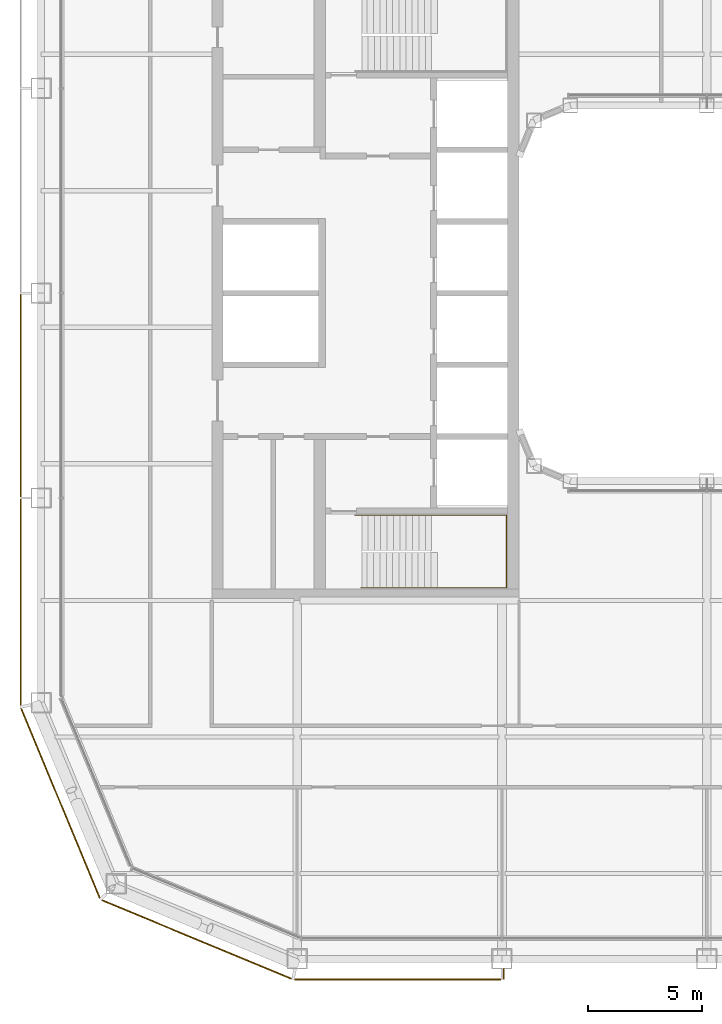
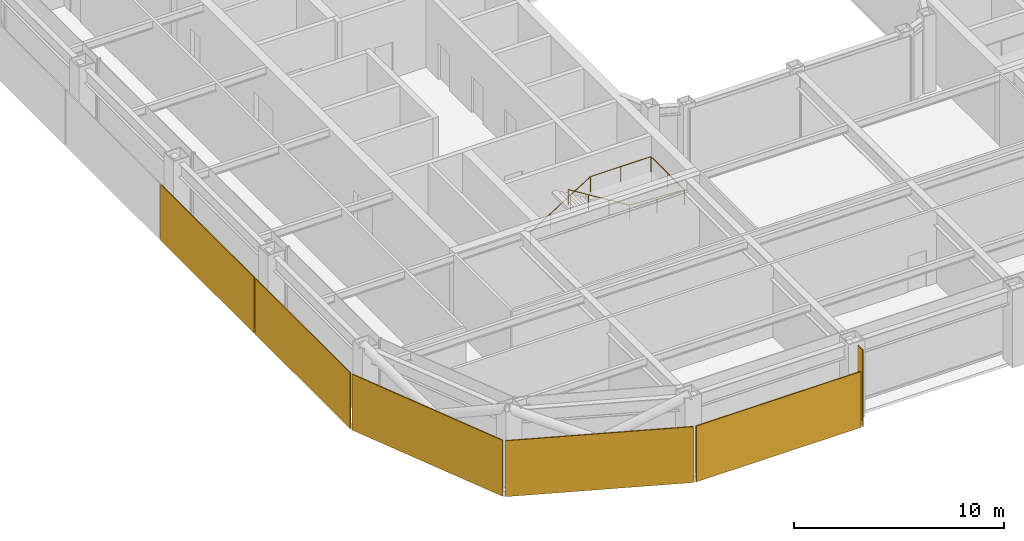
# One storey, part 17 of 21: 6 coverings, 1 railing.
"""IFC4 building model written with IfcOpenShell, lengths in metres."""

import ifcopenshell
import ifcopenshell.guid

model = None  # the IFC model being written
_history = None  # IfcOwnerHistory: only IFC2X3 demands one
_inside = {}  # id of a spatial element -> (the spatial element, [elements in it])
_under = {}  # id of a project, library or spatial element -> (it, [spatial elements below it])
_declared = {}  # id of a project -> (the project, [libraries it declares])
_typed = {}  # id of a type object -> (the type object, [elements of that type])
_made_of = {}  # id of a material, layer set ... -> (it, [elements and type objects made of it])


def new_model(schema):
    """Start an empty IFC model of exactly this schema.

    Asked for "IFC4X3", IfcOpenShell would pick the latest addendum, in which some entities
    have other attributes; the version numbers below select the first issue.
    IFC2X3 requires an IfcOwnerHistory on every rooted entity: one is made here for all.
    """
    global model, _history
    if schema == "IFC4X3":
        model = ifcopenshell.file(schema_version=(4, 3, 0, 0))
    else:
        model = ifcopenshell.file(schema=schema)
    _inside.clear()
    _under.clear()
    _declared.clear()
    _typed.clear()
    _made_of.clear()
    _history = None
    if model.schema == "IFC2X3":
        org = make("IfcOrganization", Name="unknown")
        user = make(
            "IfcPersonAndOrganization",
            ThePerson=make("IfcPerson", FamilyName="unknown"),
            TheOrganization=org,
        )
        app = make(
            "IfcApplication",
            ApplicationDeveloper=org,
            Version="unknown",
            ApplicationFullName="unknown",
            ApplicationIdentifier="unknown",
        )
        _history = make(
            "IfcOwnerHistory",
            OwningUser=user,
            OwningApplication=app,
            ChangeAction="ADDED",
            CreationDate=0,
        )
    return model


def make(cls, **values):
    """One entity of the class cls with the attributes given. An attribute that is None is left unset."""
    return model.create_entity(
        cls, **{name: value for name, value in values.items() if value is not None}
    )


def rooted(cls, **values):
    """An entity with a GlobalId (a new one), such as an element, a storey or a relation."""
    return make(cls, GlobalId=ifcopenshell.guid.new(), OwnerHistory=_history, **values)


def si_unit(unit_type, name, prefix=None):
    """IfcSIUnit, for example si_unit("LENGTHUNIT", "METRE", prefix="MILLI")."""
    return make("IfcSIUnit", UnitType=unit_type, Prefix=prefix, Name=name)


def assignment(units):
    """IfcUnitAssignment: the units of a project."""
    return None if units is None else make("IfcUnitAssignment", Units=units)


def point(xyz):
    """IfcCartesianPoint."""
    return None if xyz is None else make("IfcCartesianPoint", Coordinates=xyz)


def direction(xyz):
    """IfcDirection."""
    return None if xyz is None else make("IfcDirection", DirectionRatios=xyz)


def frame(location, z_axis=None, x_axis=None):
    """IfcAxis2Placement3D, a coordinate frame: its origin and axes. An axis left out is left unset."""
    return make(
        "IfcAxis2Placement3D",
        Location=point(location),
        Axis=direction(z_axis),
        RefDirection=direction(x_axis),
    )


def frame_2d(location, x_axis=None):
    """IfcAxis2Placement2D, a coordinate frame in the plane: its origin and x axis."""
    return make(
        "IfcAxis2Placement2D", Location=point(location), RefDirection=direction(x_axis)
    )


def origin():
    """The frame at (0, 0, 0) with its axes left unset."""
    return frame((0.0, 0.0, 0.0))


def origin_2d():
    """The frame at (0, 0) in the plane with its x axis left unset."""
    return frame_2d((0.0, 0.0))


def place(relative_to, where):
    """IfcLocalPlacement: puts the frame where relative to a parent placement (None: the world)."""
    return make(
        "IfcLocalPlacement", PlacementRelTo=relative_to, RelativePlacement=where
    )


def context(
    kind, dimensions, precision=None, world=None, true_north=None, identifier=None
):
    """IfcGeometricRepresentationContext, for example the 3D "Model" context."""
    return make(
        "IfcGeometricRepresentationContext",
        ContextIdentifier=identifier,
        ContextType=kind,
        CoordinateSpaceDimension=dimensions,
        Precision=precision,
        WorldCoordinateSystem=world,
        TrueNorth=true_north,
    )


def subcontext(parent, identifier, kind, view, scale=None):
    """IfcGeometricRepresentationSubContext, for example "Body" below "Model"."""
    return make(
        "IfcGeometricRepresentationSubContext",
        ContextIdentifier=identifier,
        ContextType=kind,
        ParentContext=parent,
        TargetScale=scale,
        TargetView=view,
    )


def project(units=None, contexts=None):
    """IfcProject with its units and contexts."""
    return rooted(
        "IfcProject",
        Name="project",
        RepresentationContexts=contexts,
        UnitsInContext=assignment(units),
    )


def spatial(cls, under=None, at=None, **own):
    """A site, building, storey or space (cls), placed at a placement, below another one or the project."""
    s = rooted(cls, ObjectPlacement=at, **own)
    if under is not None:
        _under.setdefault(under.id(), (under, []))[1].append(s)
    return s


def profile(cls, at=None, kind="AREA", **sizes):
    """A parametric profile (cls). Its sizes go by their IFC names, for example OverallWidth=200.0."""
    return make(cls, ProfileType=kind, Position=at, **sizes)


def rectangle(**sizes):
    """IfcRectangleProfileDef."""
    return profile("IfcRectangleProfileDef", **sizes)


def circle(**sizes):
    """IfcCircleProfileDef."""
    return profile("IfcCircleProfileDef", **sizes)


def extrude(swept, where, along, depth):
    """IfcExtrudedAreaSolid: the profile swept, set in the frame where, extruded along a direction by depth."""
    return make(
        "IfcExtrudedAreaSolid",
        SweptArea=swept,
        Position=where,
        ExtrudedDirection=direction(along),
        Depth=depth,
    )


def shape(context_of_items, identifier, shape_type, items):
    """IfcShapeRepresentation: the items that make up one representation, for example the "Body"."""
    return make(
        "IfcShapeRepresentation",
        ContextOfItems=context_of_items,
        RepresentationIdentifier=identifier,
        RepresentationType=shape_type,
        Items=items,
    )


def material(Name=None, Category=None):
    """IfcMaterial."""
    return make("IfcMaterial", Name=Name, Category=Category)


def layer(
    of_material, thickness, ventilated=None, Name=None, Category=None, Priority=None
):
    """IfcMaterialLayer: one layer of a wall or slab, of a material (None: an air gap)."""
    return make(
        "IfcMaterialLayer",
        Material=of_material,
        LayerThickness=thickness,
        IsVentilated=ventilated,
        Name=Name,
        Category=Category,
        Priority=Priority,
    )


def layer_set(layers, Name=None):
    """IfcMaterialLayerSet."""
    return make("IfcMaterialLayerSet", MaterialLayers=layers, LayerSetName=Name)


def made_of(thing, what):
    """Note that an element or type object is made of a material, layer set ...; save() writes the relation."""
    if what is not None:
        _made_of.setdefault(what.id(), (what, []))[1].append(thing)
    return thing


def type_object(cls, material=None, **own):
    """A type object (cls), such as IfcWallType, which elements share."""
    return made_of(rooted(cls, **own), material)


def element(
    cls,
    number,
    at=None,
    inside=None,
    cuts=None,
    type_object=None,
    material=None,
    context=None,
    identifier="Body",
    shape_type=None,
    held_by="IfcProductDefinitionShape",
    body=None,
    shapes=None,
    **own,
):
    """One element of the class cls, such as IfcWall. Its Tag is "e" and its number.

    at: its placement. inside: the storey or other place that contains it. cuts: it is an
    opening in that element (IfcRelVoidsElement). A single representation is given by context,
    identifier, shape_type and body (its items); several are given by shapes. held_by: the class
    of the entity that holds the representations. save() writes the other relations.
    """
    e = rooted(cls, Tag="e%d" % number, ObjectPlacement=at, **own)
    if body is not None:
        shapes = [shape(context, identifier, shape_type, body)]
    if shapes is not None:
        e.Representation = make(held_by, Representations=shapes)
    if inside is not None:
        _inside.setdefault(inside.id(), (inside, []))[1].append(e)
    if cuts is not None:
        rooted(
            "IfcRelVoidsElement", RelatingBuildingElement=cuts, RelatedOpeningElement=e
        )
    if type_object is not None:
        _typed.setdefault(type_object.id(), (type_object, []))[1].append(e)
    return made_of(e, material)


def aggregate(whole, parts):
    """IfcRelAggregates: a whole, such as a stair, and the parts it consists of."""
    return rooted("IfcRelAggregates", RelatingObject=whole, RelatedObjects=parts)


def save(model, path):
    """Write the relations noted so far, then the file.

    IfcRelAggregates (storeys below a building ...), IfcRelContainedInSpatialStructure (elements
    in a storey), IfcRelDefinesByType, IfcRelAssociatesMaterial and IfcRelDeclares: one each for
    every whole, place, type object, material and project.
    """
    for whole, parts in _under.values():
        aggregate(whole, parts)
    for where, things in _inside.values():
        rooted(
            "IfcRelContainedInSpatialStructure",
            RelatedElements=things,
            RelatingStructure=where,
        )
    for kind, things in _typed.values():
        rooted("IfcRelDefinesByType", RelatedObjects=things, RelatingType=kind)
    for what, things in _made_of.values():
        rooted("IfcRelAssociatesMaterial", RelatedObjects=things, RelatingMaterial=what)
    for by, libraries in _declared.values():
        rooted("IfcRelDeclares", RelatingContext=by, RelatedDefinitions=libraries)
    model.write(path)


model = new_model("IFC4")

# Units and contexts
model_context = context("Model", 3, precision=1e-05, world=origin(), true_north=direction((0.0, 1.0)))
body_context = subcontext(model_context, "Body", "Model", "MODEL_VIEW")
ifc_project = project(units=[si_unit("LENGTHUNIT", "METRE"), si_unit("AREAUNIT", "SQUARE_METRE"), si_unit("VOLUMEUNIT", "CUBIC_METRE"), si_unit("PLANEANGLEUNIT", "RADIAN"), si_unit("MASSUNIT", "GRAM", prefix="KILO")], contexts=[model_context])

# Site, building, storey
site_placement = place(None, origin())
site = spatial("IfcSite", under=ifc_project, at=site_placement, CompositionType="ELEMENT")
building_placement = place(site_placement, origin())
building = spatial("IfcBuilding", under=site, at=building_placement, Name="Siwar Civic Tower", CompositionType="ELEMENT")
storey_placement = place(building_placement, frame((0.0, 0.0, 176.699951171875)))
storey = spatial("IfcBuildingStorey", under=building, at=storey_placement, Name="L38", CompositionType="ELEMENT", Elevation=176.699951171875)

# Railing
ifc_material_1 = material(Name="Stainless steel", Category="steel")
railing_type = type_object("IfcRailingType", Name="CORE-STAIR-HANDRAIL", PredefinedType="HANDRAIL", material=ifc_material_1)
railing_placement = place(storey_placement, frame((-15.449951171875, -9.758056640625, 0.173095703125)))
element("IfcRailing", 1, at=railing_placement, inside=storey, type_object=railing_type, Name="Stair handrail ST2", PredefinedType="HANDRAIL", context=body_context, shape_type="SweptSolid", body=[
    extrude(circle(Radius=0.02001953125, at=origin_2d()), frame((0.0, 0.0, 0.8798828125), z_axis=(0.847063342986, 0.0, 0.531491950051), x_axis=(0.0, 1.0, 0.0)), (0.0, 0.0, 1.0), 3.90771484375),
    extrude(circle(Radius=0.02001953125, at=origin_2d()), frame((3.31005859375, 0.0, 2.956787109375), z_axis=(1.0, 0.0, 0.0), x_axis=(0.0, 1.0, 0.0)), (0.0, 0.0, 1.0), 3.331787109375),
    extrude(circle(Radius=0.02001953125, at=origin_2d()), frame((6.641845703125, 0.0, 2.956787109375), z_axis=(0.0, -1.0, 0.0), x_axis=(1.0, 0.0, 0.0)), (0.0, 0.0, 1.0), 3.183837890625),
    extrude(circle(Radius=0.02001953125, at=origin_2d()), frame((6.641845703125, -3.183837890625, 2.956787109375), z_axis=(-0.99837434197, 0.0, 0.056997134106), x_axis=(0.0, -1.0, 0.0)), (0.0, 0.0, 1.0), 3.036865234375),
    extrude(circle(Radius=0.02001953125, at=origin_2d()), frame((3.60986328125, -3.183837890625, 3.1298828125), z_axis=(-0.850606129759, 0.0, 0.525803396734), x_axis=(0.0, -1.0, 0.0)), (0.0, 0.0, 1.0), 3.949951171875),
    extrude(circle(Radius=0.02001953125, at=origin_2d()), origin(), (0.0, 0.0, 1.0), 0.85986328125),
    extrude(circle(Radius=0.02001953125, at=origin_2d()), frame((1.103271484375, 0.0, 0.6923828125)), (0.0, 0.0, 1.0), 0.85986328125),
    extrude(circle(Radius=0.02001953125, at=origin_2d()), frame((2.206787109375, 0.0, 1.384521484375)), (0.0, 0.0, 1.0), 0.85986328125),
    extrude(circle(Radius=0.02001953125, at=origin_2d()), frame((3.31005859375, 0.0, 2.076904296875)), (0.0, 0.0, 1.0), 0.85986328125),
    extrude(circle(Radius=0.02001953125, at=origin_2d()), frame((4.97607421875, 0.0, 2.076904296875)), (0.0, 0.0, 1.0), 0.85986328125),
    extrude(circle(Radius=0.02001953125, at=origin_2d()), frame((6.641845703125, 0.0, 2.076904296875)), (0.0, 0.0, 1.0), 0.85986328125),
    extrude(circle(Radius=0.02001953125, at=origin_2d()), frame((6.641845703125, -1.591796875, 2.076904296875)), (0.0, 0.0, 1.0), 0.85986328125),
    extrude(circle(Radius=0.02001953125, at=origin_2d()), frame((6.641845703125, -3.183837890625, 2.076904296875)), (0.0, 0.0, 1.0), 0.85986328125),
    extrude(circle(Radius=0.02001953125, at=origin_2d()), frame((5.1259765625, -3.183837890625, 2.16357421875)), (0.0, 0.0, 1.0), 0.85986328125),
    extrude(circle(Radius=0.02001953125, at=origin_2d()), frame((3.60986328125, -3.183837890625, 2.25)), (0.0, 0.0, 1.0), 0.85986328125),
    extrude(circle(Radius=0.02001953125, at=origin_2d()), frame((2.489990234375, -3.183837890625, 2.9423828125)), (0.0, 0.0, 1.0), 0.85986328125),
    extrude(circle(Radius=0.02001953125, at=origin_2d()), frame((1.369873046875, -3.183837890625, 3.634521484375)), (0.0, 0.0, 1.0), 0.85986328125),
    extrude(circle(Radius=0.02001953125, at=origin_2d()), frame((0.25, -3.183837890625, 4.326904296875)), (0.0, 0.0, 1.0), 0.85986328125),
])

# Coverings
ifc_material_2 = material(Name="Perforated aluminium cassette, pale metal", Category="aluminium")
ifc_layer_1 = layer(ifc_material_2, 0.050048828125)
ifc_layer_set_1 = layer_set([ifc_layer_1], Name="Perforated aluminium cassette, pale metal")
covering_type_1 = type_object("IfcCoveringType", Name="ENV-OUTER SKIN OS-3", PredefinedType="CLADDING", material=ifc_layer_set_1)
covering_1_placement = place(storey_placement, frame((-30.14990234375, -4.5, -0.14990234375), z_axis=(0.0, 0.0, 1.0), x_axis=(0.0, -1.0, 0.0)))
element("IfcCovering", 2, at=covering_1_placement, inside=storey, type_object=covering_type_1, Name="OUTER SKIN OS-3 W 3", PredefinedType="CLADDING", context=body_context, shape_type="SweptSolid", body=[
    extrude(rectangle(XDim=8.89990234375, YDim=0.050048828125, at=origin_2d()), origin(), (0.0, 0.0, 1.0), 3.25),
])
covering_2_placement = place(storey_placement, frame((-30.14990234375, -13.57958984375, -0.14990234375), z_axis=(0.0, 0.0, 1.0), x_axis=(0.0, -1.0, 0.0)))
element("IfcCovering", 3, at=covering_2_placement, inside=storey, type_object=covering_type_1, Name="OUTER SKIN OS-3 W 4", PredefinedType="CLADDING", context=body_context, shape_type="SweptSolid", body=[
    extrude(rectangle(XDim=9.05908203125, YDim=0.050048828125, at=origin_2d()), origin(), (0.0, 0.0, 1.0), 3.25),
])
ifc_material_3 = material(Name="Perforated aluminium cassette, pale metal", Category="aluminium")
ifc_layer_2 = layer(ifc_material_3, 0.054931640625)
ifc_layer_set_2 = layer_set([ifc_layer_2], Name="Perforated aluminium cassette, pale metal")
covering_type_2 = type_object("IfcCoveringType", Name="ENV-OUTER SKIN OS-4", PredefinedType="CLADDING", material=ifc_layer_set_2)
covering_3_placement = place(storey_placement, frame((-13.57958984375, -30.14990234375, -0.14990234375), z_axis=(0.0, 0.0, 1.0), x_axis=(1.0, 0.0, 0.0)))
element("IfcCovering", 4, at=covering_3_placement, inside=storey, type_object=covering_type_2, Name="OUTER SKIN OS-4 S 1", PredefinedType="CLADDING", context=body_context, shape_type="SweptSolid", body=[
    extrude(rectangle(XDim=9.05908203125, YDim=0.054931640625, at=origin_2d()), origin(), (0.0, 0.0, 1.0), 3.25),
])
for number, where, z_axis, x_axis, name in (
    (5, (-28.39697265625, -22.411376953125, -0.14990234375), (0.0, 0.0, 1.0), (0.382683432365, -0.923879532511, 0.0), "OUTER SKIN OS-4 SW1 1"),
    (6, (-22.411376953125, -28.39697265625, -0.14990234375), (0.0, 0.0, 1.0), (0.923879532511, -0.382683432365, 0.0), "OUTER SKIN OS-4 SW2 1"),
):
    element("IfcCovering", number, at=place(storey_placement, frame(where, z_axis=z_axis, x_axis=x_axis)), inside=storey, type_object=covering_type_2, Name=name, PredefinedType="CLADDING", context=body_context, shape_type="SweptSolid", body=[
        extrude(rectangle(XDim=9.022216796875, YDim=0.054931640625, at=origin_2d()), origin(), (0.0, 0.0, 1.0), 3.25),
    ])
ifc_material_4 = material(Name="Perforated aluminium cassette, pale metal", Category="aluminium")
ifc_layer_3 = layer(ifc_material_4, 0.050048828125)
ifc_layer_set_3 = layer_set([ifc_layer_3], Name="Perforated aluminium cassette, pale metal")
covering_type_3 = type_object("IfcCoveringType", Name="ENV-PORTAL FRAME", PredefinedType="CLADDING", material=ifc_layer_set_3)
covering_4_placement = place(storey_placement, frame((-8.925048828125, -29.9150390625, -0.14990234375), z_axis=(0.0, 0.0, 1.0), x_axis=(1.0, 0.0, 0.0)))
element("IfcCovering", 7, at=covering_4_placement, inside=storey, type_object=covering_type_3, Name="PORTAL FRAME return plate S L38", PredefinedType="CLADDING", context=body_context, shape_type="SweptSolid", body=[
    extrude(rectangle(XDim=0.050048828125, YDim=0.469970703125, at=origin_2d()), origin(), (0.0, 0.0, 1.0), 4.449951171875),
])

save(model, "model.ifc")
